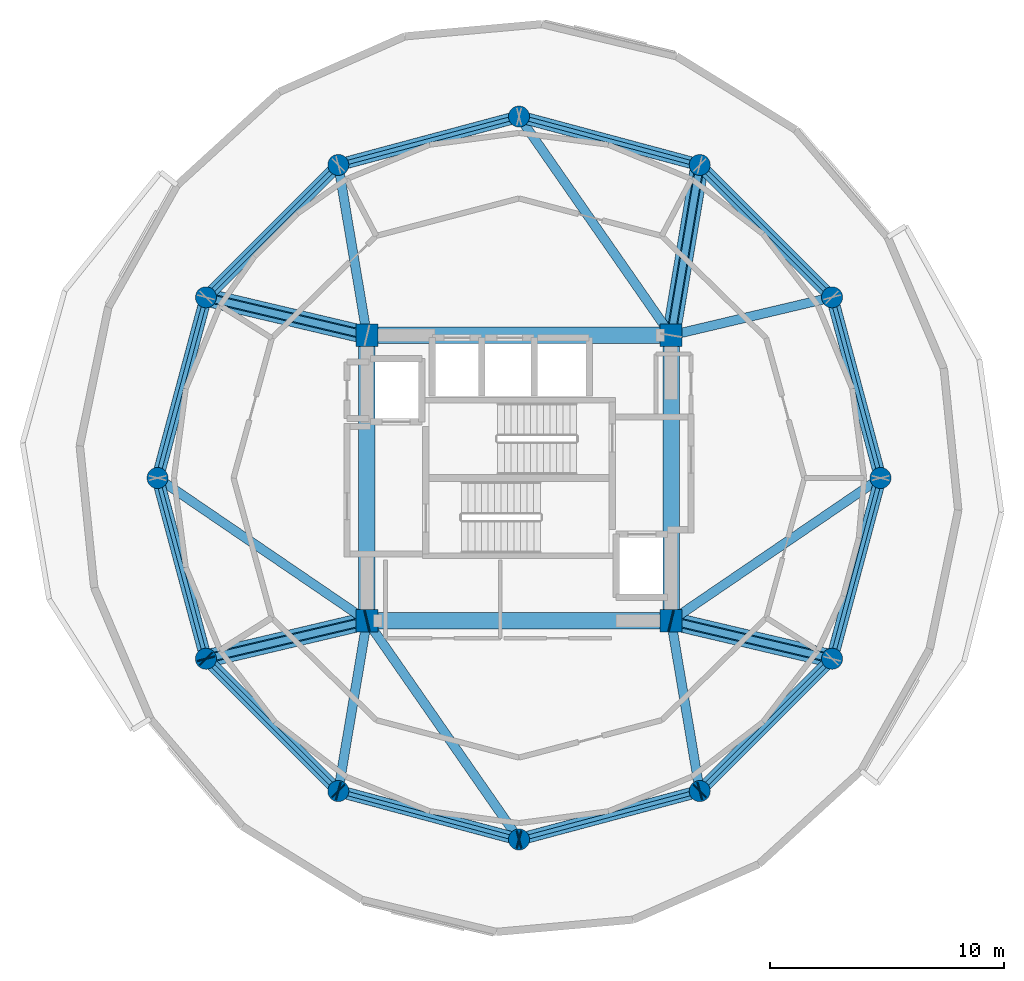
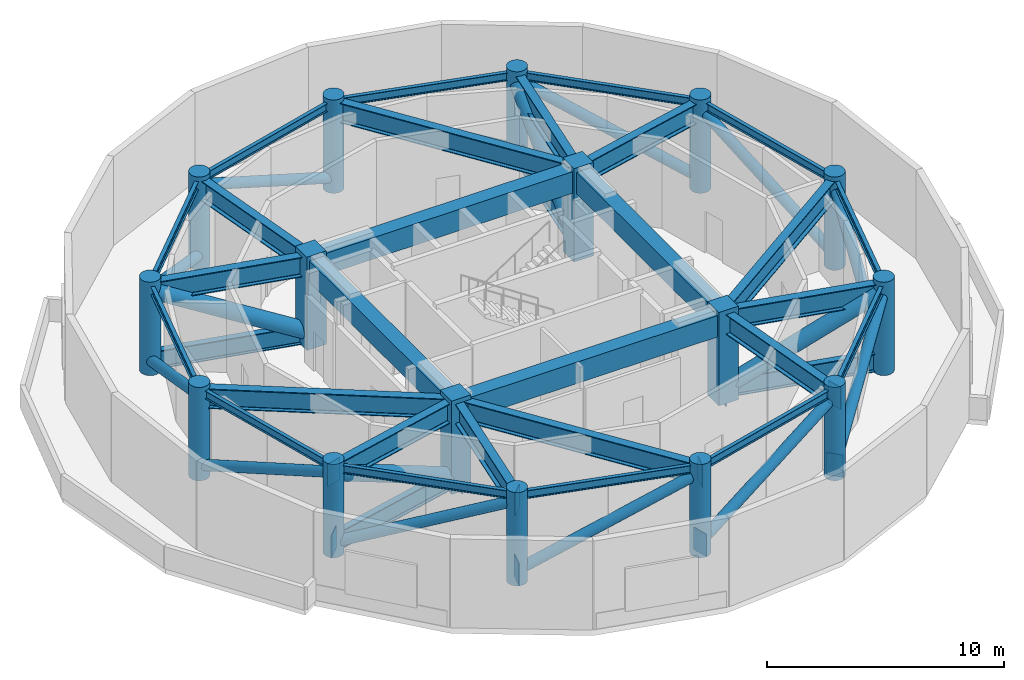
# One storey, part 1 of 7: 32 beams, 16 columns, 16 members, 10 plates.
"""IFC4 building model written with IfcOpenShell, lengths in metres."""

import ifcopenshell
import ifcopenshell.guid

model = None  # the IFC model being written
_history = None  # IfcOwnerHistory: only IFC2X3 demands one
_inside = {}  # id of a spatial element -> (the spatial element, [elements in it])
_under = {}  # id of a project, library or spatial element -> (it, [spatial elements below it])
_declared = {}  # id of a project -> (the project, [libraries it declares])
_typed = {}  # id of a type object -> (the type object, [elements of that type])
_made_of = {}  # id of a material, layer set ... -> (it, [elements and type objects made of it])


def new_model(schema):
    """Start an empty IFC model of exactly this schema.

    Asked for "IFC4X3", IfcOpenShell would pick the latest addendum, in which some entities
    have other attributes; the version numbers below select the first issue.
    IFC2X3 requires an IfcOwnerHistory on every rooted entity: one is made here for all.
    """
    global model, _history
    if schema == "IFC4X3":
        model = ifcopenshell.file(schema_version=(4, 3, 0, 0))
    else:
        model = ifcopenshell.file(schema=schema)
    _inside.clear()
    _under.clear()
    _declared.clear()
    _typed.clear()
    _made_of.clear()
    _history = None
    if model.schema == "IFC2X3":
        org = make("IfcOrganization", Name="unknown")
        user = make(
            "IfcPersonAndOrganization",
            ThePerson=make("IfcPerson", FamilyName="unknown"),
            TheOrganization=org,
        )
        app = make(
            "IfcApplication",
            ApplicationDeveloper=org,
            Version="unknown",
            ApplicationFullName="unknown",
            ApplicationIdentifier="unknown",
        )
        _history = make(
            "IfcOwnerHistory",
            OwningUser=user,
            OwningApplication=app,
            ChangeAction="ADDED",
            CreationDate=0,
        )
    return model


def make(cls, **values):
    """One entity of the class cls with the attributes given. An attribute that is None is left unset."""
    return model.create_entity(
        cls, **{name: value for name, value in values.items() if value is not None}
    )


def rooted(cls, **values):
    """An entity with a GlobalId (a new one), such as an element, a storey or a relation."""
    return make(cls, GlobalId=ifcopenshell.guid.new(), OwnerHistory=_history, **values)


def si_unit(unit_type, name, prefix=None):
    """IfcSIUnit, for example si_unit("LENGTHUNIT", "METRE", prefix="MILLI")."""
    return make("IfcSIUnit", UnitType=unit_type, Prefix=prefix, Name=name)


def assignment(units):
    """IfcUnitAssignment: the units of a project."""
    return None if units is None else make("IfcUnitAssignment", Units=units)


def point(xyz):
    """IfcCartesianPoint."""
    return None if xyz is None else make("IfcCartesianPoint", Coordinates=xyz)


def direction(xyz):
    """IfcDirection."""
    return None if xyz is None else make("IfcDirection", DirectionRatios=xyz)


def frame(location, z_axis=None, x_axis=None):
    """IfcAxis2Placement3D, a coordinate frame: its origin and axes. An axis left out is left unset."""
    return make(
        "IfcAxis2Placement3D",
        Location=point(location),
        Axis=direction(z_axis),
        RefDirection=direction(x_axis),
    )


def frame_2d(location, x_axis=None):
    """IfcAxis2Placement2D, a coordinate frame in the plane: its origin and x axis."""
    return make(
        "IfcAxis2Placement2D", Location=point(location), RefDirection=direction(x_axis)
    )


def origin():
    """The frame at (0, 0, 0) with its axes left unset."""
    return frame((0.0, 0.0, 0.0))


def origin_2d():
    """The frame at (0, 0) in the plane with its x axis left unset."""
    return frame_2d((0.0, 0.0))


def place(relative_to, where):
    """IfcLocalPlacement: puts the frame where relative to a parent placement (None: the world)."""
    return make(
        "IfcLocalPlacement", PlacementRelTo=relative_to, RelativePlacement=where
    )


def context(
    kind, dimensions, precision=None, world=None, true_north=None, identifier=None
):
    """IfcGeometricRepresentationContext, for example the 3D "Model" context."""
    return make(
        "IfcGeometricRepresentationContext",
        ContextIdentifier=identifier,
        ContextType=kind,
        CoordinateSpaceDimension=dimensions,
        Precision=precision,
        WorldCoordinateSystem=world,
        TrueNorth=true_north,
    )


def subcontext(parent, identifier, kind, view, scale=None):
    """IfcGeometricRepresentationSubContext, for example "Body" below "Model"."""
    return make(
        "IfcGeometricRepresentationSubContext",
        ContextIdentifier=identifier,
        ContextType=kind,
        ParentContext=parent,
        TargetScale=scale,
        TargetView=view,
    )


def project(units=None, contexts=None):
    """IfcProject with its units and contexts."""
    return rooted(
        "IfcProject",
        Name="project",
        RepresentationContexts=contexts,
        UnitsInContext=assignment(units),
    )


def spatial(cls, under=None, at=None, **own):
    """A site, building, storey or space (cls), placed at a placement, below another one or the project."""
    s = rooted(cls, ObjectPlacement=at, **own)
    if under is not None:
        _under.setdefault(under.id(), (under, []))[1].append(s)
    return s


def profile(cls, at=None, kind="AREA", **sizes):
    """A parametric profile (cls). Its sizes go by their IFC names, for example OverallWidth=200.0."""
    return make(cls, ProfileType=kind, Position=at, **sizes)


def rectangle(**sizes):
    """IfcRectangleProfileDef."""
    return profile("IfcRectangleProfileDef", **sizes)


def circle(**sizes):
    """IfcCircleProfileDef."""
    return profile("IfcCircleProfileDef", **sizes)


def hollow_circle(**sizes):
    """IfcCircleHollowProfileDef."""
    return profile("IfcCircleHollowProfileDef", **sizes)


def i_section(**sizes):
    """IfcIShapeProfileDef."""
    return profile("IfcIShapeProfileDef", **sizes)


def extrude(swept, where, along, depth):
    """IfcExtrudedAreaSolid: the profile swept, set in the frame where, extruded along a direction by depth."""
    return make(
        "IfcExtrudedAreaSolid",
        SweptArea=swept,
        Position=where,
        ExtrudedDirection=direction(along),
        Depth=depth,
    )


def shape(context_of_items, identifier, shape_type, items):
    """IfcShapeRepresentation: the items that make up one representation, for example the "Body"."""
    return make(
        "IfcShapeRepresentation",
        ContextOfItems=context_of_items,
        RepresentationIdentifier=identifier,
        RepresentationType=shape_type,
        Items=items,
    )


def material(Name=None, Category=None):
    """IfcMaterial."""
    return make("IfcMaterial", Name=Name, Category=Category)


def layer(
    of_material, thickness, ventilated=None, Name=None, Category=None, Priority=None
):
    """IfcMaterialLayer: one layer of a wall or slab, of a material (None: an air gap)."""
    return make(
        "IfcMaterialLayer",
        Material=of_material,
        LayerThickness=thickness,
        IsVentilated=ventilated,
        Name=Name,
        Category=Category,
        Priority=Priority,
    )


def layer_set(layers, Name=None):
    """IfcMaterialLayerSet."""
    return make("IfcMaterialLayerSet", MaterialLayers=layers, LayerSetName=Name)


def material_profile(
    of_material, cross_section, Name=None, Category=None, Priority=None
):
    """IfcMaterialProfile: a cross section and its material."""
    return make(
        "IfcMaterialProfile",
        Name=Name,
        Material=of_material,
        Profile=cross_section,
        Priority=Priority,
        Category=Category,
    )


def profile_set(profiles, Name=None, composite=None):
    """IfcMaterialProfileSet."""
    return make(
        "IfcMaterialProfileSet",
        Name=Name,
        MaterialProfiles=profiles,
        CompositeProfile=composite,
    )


def made_of(thing, what):
    """Note that an element or type object is made of a material, layer set ...; save() writes the relation."""
    if what is not None:
        _made_of.setdefault(what.id(), (what, []))[1].append(thing)
    return thing


def type_object(cls, material=None, **own):
    """A type object (cls), such as IfcWallType, which elements share."""
    return made_of(rooted(cls, **own), material)


def element(
    cls,
    number,
    at=None,
    inside=None,
    cuts=None,
    type_object=None,
    material=None,
    context=None,
    identifier="Body",
    shape_type=None,
    held_by="IfcProductDefinitionShape",
    body=None,
    shapes=None,
    **own,
):
    """One element of the class cls, such as IfcWall. Its Tag is "e" and its number.

    at: its placement. inside: the storey or other place that contains it. cuts: it is an
    opening in that element (IfcRelVoidsElement). A single representation is given by context,
    identifier, shape_type and body (its items); several are given by shapes. held_by: the class
    of the entity that holds the representations. save() writes the other relations.
    """
    e = rooted(cls, Tag="e%d" % number, ObjectPlacement=at, **own)
    if body is not None:
        shapes = [shape(context, identifier, shape_type, body)]
    if shapes is not None:
        e.Representation = make(held_by, Representations=shapes)
    if inside is not None:
        _inside.setdefault(inside.id(), (inside, []))[1].append(e)
    if cuts is not None:
        rooted(
            "IfcRelVoidsElement", RelatingBuildingElement=cuts, RelatedOpeningElement=e
        )
    if type_object is not None:
        _typed.setdefault(type_object.id(), (type_object, []))[1].append(e)
    return made_of(e, material)


def aggregate(whole, parts):
    """IfcRelAggregates: a whole, such as a stair, and the parts it consists of."""
    return rooted("IfcRelAggregates", RelatingObject=whole, RelatedObjects=parts)


def save(model, path):
    """Write the relations noted so far, then the file.

    IfcRelAggregates (storeys below a building ...), IfcRelContainedInSpatialStructure (elements
    in a storey), IfcRelDefinesByType, IfcRelAssociatesMaterial and IfcRelDeclares: one each for
    every whole, place, type object, material and project.
    """
    for whole, parts in _under.values():
        aggregate(whole, parts)
    for where, things in _inside.values():
        rooted(
            "IfcRelContainedInSpatialStructure",
            RelatedElements=things,
            RelatingStructure=where,
        )
    for kind, things in _typed.values():
        rooted("IfcRelDefinesByType", RelatedObjects=things, RelatingType=kind)
    for what, things in _made_of.values():
        rooted("IfcRelAssociatesMaterial", RelatedObjects=things, RelatingMaterial=what)
    for by, libraries in _declared.values():
        rooted("IfcRelDeclares", RelatingContext=by, RelatedDefinitions=libraries)
    model.write(path)


model = new_model("IFC4")

# Units and contexts
model_context = context("Model", 3, precision=1e-05, world=origin(), true_north=direction((0.0, 1.0)))
body_context = subcontext(model_context, "Body", "Model", "MODEL_VIEW")
ifc_project = project(units=[si_unit("LENGTHUNIT", "METRE"), si_unit("AREAUNIT", "SQUARE_METRE"), si_unit("VOLUMEUNIT", "CUBIC_METRE"), si_unit("PLANEANGLEUNIT", "RADIAN"), si_unit("MASSUNIT", "GRAM", prefix="KILO")], contexts=[model_context])

# Site, building, storey
site_placement = place(None, origin())
site = spatial("IfcSite", under=ifc_project, at=site_placement, CompositionType="ELEMENT")
building_placement = place(site_placement, origin())
building = spatial("IfcBuilding", under=site, at=building_placement, Name="Solvirekh Grand Hotel", CompositionType="ELEMENT")
storey_placement = place(building_placement, frame((0.0, 0.0, 234.39990234375)))
storey = spatial("IfcBuildingStorey", under=building, at=storey_placement, Name="L61", CompositionType="ELEMENT", Elevation=234.39990234375)

# Columns
ifc_material_1 = material(Name="Concrete C50/60", Category="concrete")
ifc_material_profile_1 = material_profile(ifc_material_1, rectangle(XDim=0.949951171875, YDim=0.949951171875, at=origin_2d()), Name="RC 950X950")
ifc_profile_set_1 = profile_set([ifc_material_profile_1], Name="Concrete C50/60")
column_type_1 = type_object("IfcColumnType", Name="Col_Core_950", PredefinedType="COLUMN", material=ifc_profile_set_1)
for number, where, z_axis, x_axis, name in (
    (1, (-6.5, -6.10009765625, 0.0), (0.0, 0.0, 1.0), (1.0, 0.0, 0.0), "L61 core corner column CC1"),
    (2, (6.5, -6.10009765625, 0.0), (0.0, 0.0, 1.0), (1.0, 0.0, 0.0), "L61 core corner column CC2"),
    (3, (6.5, 6.10009765625, 0.0), (0.0, 0.0, 1.0), (1.0, 0.0, 0.0), "L61 core corner column CC3"),
    (4, (-6.5, 6.10009765625, 0.0), (0.0, 0.0, 1.0), (1.0, 0.0, 0.0), "L61 core corner column CC4"),
):
    element("IfcColumn", number, at=place(storey_placement, frame(where, z_axis=z_axis, x_axis=x_axis)), inside=storey, type_object=column_type_1, Name=name, PredefinedType="COLUMN", context=body_context, shape_type="SweptSolid", body=[
        extrude(rectangle(XDim=0.949951171875, YDim=0.949951171875, at=origin_2d()), origin(), (0.0, 0.0, 1.0), 4.800048828125),
    ])
ifc_material_profile_2 = material_profile(ifc_material_1, circle(Radius=0.449951171875, at=origin_2d()), Name="RC CIRC D900")
ifc_profile_set_2 = profile_set([ifc_material_profile_2], Name="Concrete C50/60")
column_type_2 = type_object("IfcColumnType", Name="Col_Z3_D900", PredefinedType="COLUMN", material=ifc_profile_set_2)
for number, where, z_axis, x_axis, name in (
    (5, (15.449951171875, 0.0, 0.0), (0.0, 0.0, 1.0), (1.0, 0.0, 0.0), "L61 perimeter column P01"),
    (6, (13.3798828125, 7.72509765625, 0.0), (0.0, 0.0, 1.0), (1.0, 0.0, 0.0), "L61 perimeter column P02"),
    (7, (7.72509765625, 13.3798828125, 0.0), (0.0, 0.0, 1.0), (1.0, 0.0, 0.0), "L61 perimeter column P03"),
    (8, (0.0, 15.449951171875, 0.0), (0.0, 0.0, 1.0), (1.0, 0.0, 0.0), "L61 perimeter column P04"),
    (9, (-7.72509765625, 13.3798828125, 0.0), (0.0, 0.0, 1.0), (1.0, 0.0, 0.0), "L61 perimeter column P05"),
    (10, (-13.3798828125, 7.72509765625, 0.0), (0.0, 0.0, 1.0), (1.0, 0.0, 0.0), "L61 perimeter column P06"),
    (11, (-15.449951171875, 0.0, 0.0), (0.0, 0.0, 1.0), (1.0, 0.0, 0.0), "L61 perimeter column P07"),
    (12, (-13.3798828125, -7.72509765625, 0.0), (0.0, 0.0, 1.0), (1.0, 0.0, 0.0), "L61 perimeter column P08"),
    (13, (-7.72509765625, -13.3798828125, 0.0), (0.0, 0.0, 1.0), (1.0, 0.0, 0.0), "L61 perimeter column P09"),
    (14, (0.0, -15.449951171875, 0.0), (0.0, 0.0, 1.0), (1.0, 0.0, 0.0), "L61 perimeter column P10"),
    (15, (7.72509765625, -13.3798828125, 0.0), (0.0, 0.0, 1.0), (1.0, 0.0, 0.0), "L61 perimeter column P11"),
    (16, (13.3798828125, -7.72509765625, 0.0), (0.0, 0.0, 1.0), (1.0, 0.0, 0.0), "L61 perimeter column P12"),
):
    element("IfcColumn", number, at=place(storey_placement, frame(where, z_axis=z_axis, x_axis=x_axis)), inside=storey, type_object=column_type_2, Name=name, PredefinedType="COLUMN", context=body_context, shape_type="SweptSolid", body=[
        extrude(circle(Radius=0.449951171875, at=origin_2d()), origin(), (0.0, 0.0, 1.0), 4.800048828125),
    ])

# Beams
ifc_material_2 = material(Name="Concrete C60/75", Category="concrete")
ifc_material_profile_3 = material_profile(ifc_material_2, rectangle(XDim=0.699951171875, YDim=1.10009765625, at=origin_2d()), Name="RC BEAM 700X1100")
ifc_profile_set_3 = profile_set([ifc_material_profile_3], Name="Concrete C60/75")
beam_type_1 = type_object("IfcBeamType", Name="Beam_Core_RC1100", PredefinedType="BEAM", material=ifc_profile_set_3)
beam_1_placement = place(storey_placement, frame((-6.5, -6.10009765625, 4.02001953125), z_axis=(1.0, 0.0, 0.0), x_axis=(0.0, 1.0, 0.0)))
element("IfcBeam", 17, at=beam_1_placement, inside=storey, type_object=beam_type_1, Name="L61 core coupling ring beam 1", PredefinedType="BEAM", context=body_context, shape_type="SweptSolid", body=[
    extrude(rectangle(XDim=0.699951171875, YDim=1.10009765625, at=origin_2d()), origin(), (0.0, 0.0, 1.0), 13.0),
])
beam_2_placement = place(storey_placement, frame((6.5, -6.10009765625, 4.02001953125), z_axis=(0.0, 1.0, 0.0), x_axis=(-1.0, 0.0, 0.0)))
element("IfcBeam", 18, at=beam_2_placement, inside=storey, type_object=beam_type_1, Name="L61 core coupling ring beam 2", PredefinedType="BEAM", context=body_context, shape_type="SweptSolid", body=[
    extrude(rectangle(XDim=0.699951171875, YDim=1.10009765625, at=origin_2d()), origin(), (0.0, 0.0, 1.0), 12.2001953125),
])
beam_3_placement = place(storey_placement, frame((6.5, 6.10009765625, 4.02001953125), z_axis=(-1.0, 0.0, 0.0), x_axis=(0.0, -1.0, 0.0)))
element("IfcBeam", 19, at=beam_3_placement, inside=storey, type_object=beam_type_1, Name="L61 core coupling ring beam 3", PredefinedType="BEAM", context=body_context, shape_type="SweptSolid", body=[
    extrude(rectangle(XDim=0.699951171875, YDim=1.10009765625, at=origin_2d()), origin(), (0.0, 0.0, 1.0), 13.0),
])
beam_4_placement = place(storey_placement, frame((-6.5, 6.10009765625, 4.02001953125), z_axis=(0.0, -1.0, 0.0), x_axis=(1.0, 0.0, 0.0)))
element("IfcBeam", 20, at=beam_4_placement, inside=storey, type_object=beam_type_1, Name="L61 core coupling ring beam 4", PredefinedType="BEAM", context=body_context, shape_type="SweptSolid", body=[
    extrude(rectangle(XDim=0.699951171875, YDim=1.10009765625, at=origin_2d()), origin(), (0.0, 0.0, 1.0), 12.2001953125),
])
ifc_material_3 = material(Name="Steel S460", Category="steel")
ifc_material_profile_4 = material_profile(ifc_material_3, i_section(OverallWidth=0.31005859375, OverallDepth=0.927978515625, WebThickness=0.02099609375, FlangeThickness=0.035888671875, FilletRadius=0.02001953125, at=origin_2d()), Name="W920X342")
ifc_profile_set_4 = profile_set([ifc_material_profile_4], Name="Steel S460")
beam_type_2 = type_object("IfcBeamType", Name="Beam_Outrigger_W920", PredefinedType="BEAM", material=ifc_profile_set_4)
beam_5_placement = place(storey_placement, frame((6.5, 6.10009765625, 0.51416015625), z_axis=(0.165954049106, 0.986133486697, 0.0), x_axis=(-0.986133486697, 0.165954049106, 0.0)))
element("IfcBeam", 21, at=beam_5_placement, inside=storey, type_object=beam_type_2, Name="L61 lower outrigger chord 3", PredefinedType="BEAM", context=body_context, shape_type="SweptSolid", body=[
    extrude(i_section(OverallWidth=0.31005859375, OverallDepth=0.927978515625, WebThickness=0.02099609375, FlangeThickness=0.035888671875, FilletRadius=0.02001953125, at=origin_2d()), origin(), (0.0, 0.0, 1.0), 7.382080078125),
])
for number, where, z_axis, x_axis, name in (
    (22, (-6.5, 6.10009765625, 0.51416015625), (-0.973221147544, 0.229870828888, 0.0), (-0.229870828888, -0.973221147544, 0.0), "L61 lower outrigger chord 6"),
    (23, (-6.5, -6.10009765625, 0.51416015625), (-0.973221147544, -0.229870828888, 0.0), (0.229870828888, -0.973221147544, 0.0), "L61 lower outrigger chord 8"),
    (24, (6.5, -6.10009765625, 0.51416015625), (0.973221147544, -0.229870828888, 0.0), (0.229870828888, 0.973221147544, 0.0), "L61 lower outrigger chord 12"),
):
    element("IfcBeam", number, at=place(storey_placement, frame(where, z_axis=z_axis, x_axis=x_axis)), inside=storey, type_object=beam_type_2, Name=name, PredefinedType="BEAM", context=body_context, shape_type="SweptSolid", body=[
        extrude(i_section(OverallWidth=0.31005859375, OverallDepth=0.927978515625, WebThickness=0.02099609375, FlangeThickness=0.035888671875, FilletRadius=0.02001953125, at=origin_2d()), origin(), (0.0, 0.0, 1.0), 7.069091796875),
    ])

# Members
ifc_material_4 = material(Name="Steel S355", Category="steel")
ifc_material_profile_5 = material_profile(ifc_material_4, hollow_circle(Radius=0.25390625, WallThickness=0.02001953125, at=origin_2d()), Name="CHS 508X20")
ifc_profile_set_5 = profile_set([ifc_material_profile_5], Name="Steel S355")
member_type_1 = type_object("IfcMemberType", Name="Brace_Belt_CHS508", PredefinedType="BRACE", material=ifc_profile_set_5)
member_1_placement = place(storey_placement, frame((15.449951171875, 0.0, 0.51416015625), z_axis=(-0.236113140836, 0.881128906984, 0.409710182936), x_axis=(-0.965921616143, -0.258834757072, 0.0)))
element("IfcMember", 25, at=member_1_placement, inside=storey, type_object=member_type_1, Name="L61 perimeter belt-truss brace 1", PredefinedType="BRACE", context=body_context, shape_type="SweptSolid", body=[
    extrude(hollow_circle(Radius=0.25390625, WallThickness=0.02001953125, at=origin_2d()), origin(), (0.0, 0.0, 1.0), 8.767333984375),
])
member_2_placement = place(storey_placement, frame((13.3798828125, 7.72509765625, 0.51416015625), z_axis=(-0.645026213686, 0.645026213686, 0.409734508331), x_axis=(-0.707106781187, -0.707106781187, 0.0)))
element("IfcMember", 26, at=member_2_placement, inside=storey, type_object=member_type_1, Name="L61 perimeter belt-truss brace 2", PredefinedType="BRACE", context=body_context, shape_type="SweptSolid", body=[
    extrude(hollow_circle(Radius=0.25390625, WallThickness=0.02001953125, at=origin_2d()), origin(), (0.0, 0.0, 1.0), 8.766845703125),
])
for number, where, z_axis, x_axis, name in (
    (27, (7.72509765625, 13.3798828125, 0.51416015625), (-0.881128906984, 0.236113140836, 0.409710182936), (-0.258834757072, -0.965921616143, 0.0), "L61 perimeter belt-truss brace 3"),
    (28, (0.0, 15.449951171875, 0.51416015625), (-0.881128906984, -0.236113140836, 0.409710182936), (0.258834757072, -0.965921616143, 0.0), "L61 perimeter belt-truss brace 4"),
):
    element("IfcMember", number, at=place(storey_placement, frame(where, z_axis=z_axis, x_axis=x_axis)), inside=storey, type_object=member_type_1, Name=name, PredefinedType="BRACE", context=body_context, shape_type="SweptSolid", body=[
        extrude(hollow_circle(Radius=0.25390625, WallThickness=0.02001953125, at=origin_2d()), origin(), (0.0, 0.0, 1.0), 8.767333984375),
    ])
member_3_placement = place(storey_placement, frame((-7.72509765625, 13.3798828125, 0.51416015625), z_axis=(-0.645026213686, -0.645026213686, 0.409734508331), x_axis=(0.707106781187, -0.707106781187, 0.0)))
element("IfcMember", 29, at=member_3_placement, inside=storey, type_object=member_type_1, Name="L61 perimeter belt-truss brace 5", PredefinedType="BRACE", context=body_context, shape_type="SweptSolid", body=[
    extrude(hollow_circle(Radius=0.25390625, WallThickness=0.02001953125, at=origin_2d()), origin(), (0.0, 0.0, 1.0), 8.766845703125),
])
for number, where, z_axis, x_axis, name in (
    (30, (-13.3798828125, 7.72509765625, 0.51416015625), (-0.236113140836, -0.881128906984, 0.409710182936), (0.965921616143, -0.258834757072, 0.0), "L61 perimeter belt-truss brace 6"),
    (31, (-15.449951171875, 0.0, 0.51416015625), (0.236113140836, -0.881128906984, 0.409710182936), (0.965921616143, 0.258834757072, 0.0), "L61 perimeter belt-truss brace 7"),
):
    element("IfcMember", number, at=place(storey_placement, frame(where, z_axis=z_axis, x_axis=x_axis)), inside=storey, type_object=member_type_1, Name=name, PredefinedType="BRACE", context=body_context, shape_type="SweptSolid", body=[
        extrude(hollow_circle(Radius=0.25390625, WallThickness=0.02001953125, at=origin_2d()), origin(), (0.0, 0.0, 1.0), 8.767333984375),
    ])
member_4_placement = place(storey_placement, frame((-13.3798828125, -7.72509765625, 0.51416015625), z_axis=(0.645026213686, -0.645026213686, 0.409734508331), x_axis=(0.707106781187, 0.707106781187, 0.0)))
element("IfcMember", 32, at=member_4_placement, inside=storey, type_object=member_type_1, Name="L61 perimeter belt-truss brace 8", PredefinedType="BRACE", context=body_context, shape_type="SweptSolid", body=[
    extrude(hollow_circle(Radius=0.25390625, WallThickness=0.02001953125, at=origin_2d()), origin(), (0.0, 0.0, 1.0), 8.766845703125),
])
for number, where, z_axis, x_axis, name in (
    (33, (-7.72509765625, -13.3798828125, 0.51416015625), (0.881128906984, -0.236113140836, 0.409710182936), (0.258834757072, 0.965921616143, 0.0), "L61 perimeter belt-truss brace 9"),
    (34, (0.0, -15.449951171875, 0.51416015625), (0.881128906984, 0.236113140836, 0.409710182936), (-0.258834757072, 0.965921616143, 0.0), "L61 perimeter belt-truss brace 10"),
):
    element("IfcMember", number, at=place(storey_placement, frame(where, z_axis=z_axis, x_axis=x_axis)), inside=storey, type_object=member_type_1, Name=name, PredefinedType="BRACE", context=body_context, shape_type="SweptSolid", body=[
        extrude(hollow_circle(Radius=0.25390625, WallThickness=0.02001953125, at=origin_2d()), origin(), (0.0, 0.0, 1.0), 8.767333984375),
    ])
member_5_placement = place(storey_placement, frame((7.72509765625, -13.3798828125, 0.51416015625), z_axis=(0.645026213686, 0.645026213686, 0.409734508331), x_axis=(-0.707106781187, 0.707106781187, 0.0)))
element("IfcMember", 35, at=member_5_placement, inside=storey, type_object=member_type_1, Name="L61 perimeter belt-truss brace 11", PredefinedType="BRACE", context=body_context, shape_type="SweptSolid", body=[
    extrude(hollow_circle(Radius=0.25390625, WallThickness=0.02001953125, at=origin_2d()), origin(), (0.0, 0.0, 1.0), 8.766845703125),
])
member_6_placement = place(storey_placement, frame((13.3798828125, -7.72509765625, 0.51416015625), z_axis=(0.236113140836, 0.881128906984, 0.409710182936), x_axis=(-0.965921616143, 0.258834757072, 0.0)))
element("IfcMember", 36, at=member_6_placement, inside=storey, type_object=member_type_1, Name="L61 perimeter belt-truss brace 12", PredefinedType="BRACE", context=body_context, shape_type="SweptSolid", body=[
    extrude(hollow_circle(Radius=0.25390625, WallThickness=0.02001953125, at=origin_2d()), origin(), (0.0, 0.0, 1.0), 8.767333984375),
])
ifc_material_profile_6 = material_profile(ifc_material_3, hollow_circle(Radius=0.381103515625, WallThickness=0.028076171875, at=origin_2d()), Name="CHS 762X28")
ifc_profile_set_6 = profile_set([ifc_material_profile_6], Name="Steel S460")
member_type_2 = type_object("IfcMemberType", Name="Brace_Outrigger_CHS762", PredefinedType="BRACE", material=ifc_profile_set_6)
member_7_placement = place(storey_placement, frame((6.5, 6.10009765625, 0.51416015625), z_axis=(0.149225939331, 0.886731578114, 0.43753711546), x_axis=(-0.986133486697, 0.165954049106, 0.0)))
element("IfcMember", 37, at=member_7_placement, inside=storey, type_object=member_type_2, Name="L61 outrigger truss diagonal 3", PredefinedType="BRACE", context=body_context, shape_type="SweptSolid", body=[
    extrude(hollow_circle(Radius=0.381103515625, WallThickness=0.028076171875, at=origin_2d()), origin(), (0.0, 0.0, 1.0), 8.209716796875),
])
for number, where, z_axis, x_axis, name in (
    (38, (-6.5, 6.10009765625, 0.51416015625), (-0.867636866103, 0.204932256238, 0.453000042973), (-0.229870828888, -0.973221147544, 0.0), "L61 outrigger truss diagonal 6"),
    (39, (-6.5, -6.10009765625, 0.51416015625), (-0.867636866103, -0.204932256238, 0.453000042973), (0.229870828888, -0.973221147544, 0.0), "L61 outrigger truss diagonal 8"),
    (40, (6.5, -6.10009765625, 0.51416015625), (0.867636866103, -0.204932256238, 0.453000042973), (0.229870828888, 0.973221147544, 0.0), "L61 outrigger truss diagonal 12"),
):
    element("IfcMember", number, at=place(storey_placement, frame(where, z_axis=z_axis, x_axis=x_axis)), inside=storey, type_object=member_type_2, Name=name, PredefinedType="BRACE", context=body_context, shape_type="SweptSolid", body=[
        extrude(hollow_circle(Radius=0.381103515625, WallThickness=0.028076171875, at=origin_2d()), origin(), (0.0, 0.0, 1.0), 7.929443359375),
    ])

# Beams
ifc_material_profile_7 = material_profile(ifc_material_4, i_section(OverallWidth=0.180908203125, OverallDepth=0.4169921875, WebThickness=0.010009765625, FlangeThickness=0.01611328125, FilletRadius=0.011962890625, at=origin_2d()), Name="W410X85")
ifc_profile_set_7 = profile_set([ifc_material_profile_7], Name="Steel S355")
beam_type_3 = type_object("IfcBeamType", Name="Spandrel_Ring_W410", PredefinedType="SPANDREL", material=ifc_profile_set_7)
beam_6_placement = place(storey_placement, frame((15.449951171875, 0.0, 4.362060546875), z_axis=(-0.258834757072, 0.965921616143, 0.0), x_axis=(-0.965921616143, -0.258834757072, 0.0)))
element("IfcBeam", 41, at=beam_6_placement, inside=storey, type_object=beam_type_3, Name="L61 perimeter spandrel beam 1", PredefinedType="SPANDREL", context=body_context, shape_type="SweptSolid", body=[
    extrude(i_section(OverallWidth=0.180908203125, OverallDepth=0.4169921875, WebThickness=0.010009765625, FlangeThickness=0.01611328125, FilletRadius=0.011962890625, at=origin_2d()), origin(), (0.0, 0.0, 1.0), 7.99755859375),
])
beam_7_placement = place(storey_placement, frame((13.3798828125, 7.72509765625, 4.362060546875), z_axis=(-0.707106781187, 0.707106781187, 0.0), x_axis=(-0.707106781187, -0.707106781187, 0.0)))
element("IfcBeam", 42, at=beam_7_placement, inside=storey, type_object=beam_type_3, Name="L61 perimeter spandrel beam 2", PredefinedType="SPANDREL", context=body_context, shape_type="SweptSolid", body=[
    extrude(i_section(OverallWidth=0.180908203125, OverallDepth=0.4169921875, WebThickness=0.010009765625, FlangeThickness=0.01611328125, FilletRadius=0.011962890625, at=origin_2d()), origin(), (0.0, 0.0, 1.0), 7.9970703125),
])
for number, where, z_axis, x_axis, name in (
    (43, (7.72509765625, 13.3798828125, 4.362060546875), (-0.965921616143, 0.258834757072, 0.0), (-0.258834757072, -0.965921616143, 0.0), "L61 perimeter spandrel beam 3"),
    (44, (0.0, 15.449951171875, 4.362060546875), (-0.965921616143, -0.258834757072, 0.0), (0.258834757072, -0.965921616143, 0.0), "L61 perimeter spandrel beam 4"),
):
    element("IfcBeam", number, at=place(storey_placement, frame(where, z_axis=z_axis, x_axis=x_axis)), inside=storey, type_object=beam_type_3, Name=name, PredefinedType="SPANDREL", context=body_context, shape_type="SweptSolid", body=[
        extrude(i_section(OverallWidth=0.180908203125, OverallDepth=0.4169921875, WebThickness=0.010009765625, FlangeThickness=0.01611328125, FilletRadius=0.011962890625, at=origin_2d()), origin(), (0.0, 0.0, 1.0), 7.99755859375),
    ])
beam_8_placement = place(storey_placement, frame((-7.72509765625, 13.3798828125, 4.362060546875), z_axis=(-0.707106781187, -0.707106781187, 0.0), x_axis=(0.707106781187, -0.707106781187, 0.0)))
element("IfcBeam", 45, at=beam_8_placement, inside=storey, type_object=beam_type_3, Name="L61 perimeter spandrel beam 5", PredefinedType="SPANDREL", context=body_context, shape_type="SweptSolid", body=[
    extrude(i_section(OverallWidth=0.180908203125, OverallDepth=0.4169921875, WebThickness=0.010009765625, FlangeThickness=0.01611328125, FilletRadius=0.011962890625, at=origin_2d()), origin(), (0.0, 0.0, 1.0), 7.9970703125),
])
for number, where, z_axis, x_axis, name in (
    (46, (-13.3798828125, 7.72509765625, 4.362060546875), (-0.258834757072, -0.965921616143, 0.0), (0.965921616143, -0.258834757072, 0.0), "L61 perimeter spandrel beam 6"),
    (47, (-15.449951171875, 0.0, 4.362060546875), (0.258834757072, -0.965921616143, 0.0), (0.965921616143, 0.258834757072, 0.0), "L61 perimeter spandrel beam 7"),
):
    element("IfcBeam", number, at=place(storey_placement, frame(where, z_axis=z_axis, x_axis=x_axis)), inside=storey, type_object=beam_type_3, Name=name, PredefinedType="SPANDREL", context=body_context, shape_type="SweptSolid", body=[
        extrude(i_section(OverallWidth=0.180908203125, OverallDepth=0.4169921875, WebThickness=0.010009765625, FlangeThickness=0.01611328125, FilletRadius=0.011962890625, at=origin_2d()), origin(), (0.0, 0.0, 1.0), 7.99755859375),
    ])
beam_9_placement = place(storey_placement, frame((-13.3798828125, -7.72509765625, 4.362060546875), z_axis=(0.707106781187, -0.707106781187, 0.0), x_axis=(0.707106781187, 0.707106781187, 0.0)))
element("IfcBeam", 48, at=beam_9_placement, inside=storey, type_object=beam_type_3, Name="L61 perimeter spandrel beam 8", PredefinedType="SPANDREL", context=body_context, shape_type="SweptSolid", body=[
    extrude(i_section(OverallWidth=0.180908203125, OverallDepth=0.4169921875, WebThickness=0.010009765625, FlangeThickness=0.01611328125, FilletRadius=0.011962890625, at=origin_2d()), origin(), (0.0, 0.0, 1.0), 7.9970703125),
])
for number, where, z_axis, x_axis, name in (
    (49, (-7.72509765625, -13.3798828125, 4.362060546875), (0.965921616143, -0.258834757072, 0.0), (0.258834757072, 0.965921616143, 0.0), "L61 perimeter spandrel beam 9"),
    (50, (0.0, -15.449951171875, 4.362060546875), (0.965921616143, 0.258834757072, 0.0), (-0.258834757072, 0.965921616143, 0.0), "L61 perimeter spandrel beam 10"),
):
    element("IfcBeam", number, at=place(storey_placement, frame(where, z_axis=z_axis, x_axis=x_axis)), inside=storey, type_object=beam_type_3, Name=name, PredefinedType="SPANDREL", context=body_context, shape_type="SweptSolid", body=[
        extrude(i_section(OverallWidth=0.180908203125, OverallDepth=0.4169921875, WebThickness=0.010009765625, FlangeThickness=0.01611328125, FilletRadius=0.011962890625, at=origin_2d()), origin(), (0.0, 0.0, 1.0), 7.99755859375),
    ])
beam_10_placement = place(storey_placement, frame((7.72509765625, -13.3798828125, 4.362060546875), z_axis=(0.707106781187, 0.707106781187, 0.0), x_axis=(-0.707106781187, 0.707106781187, 0.0)))
element("IfcBeam", 51, at=beam_10_placement, inside=storey, type_object=beam_type_3, Name="L61 perimeter spandrel beam 11", PredefinedType="SPANDREL", context=body_context, shape_type="SweptSolid", body=[
    extrude(i_section(OverallWidth=0.180908203125, OverallDepth=0.4169921875, WebThickness=0.010009765625, FlangeThickness=0.01611328125, FilletRadius=0.011962890625, at=origin_2d()), origin(), (0.0, 0.0, 1.0), 7.9970703125),
])
beam_11_placement = place(storey_placement, frame((13.3798828125, -7.72509765625, 4.362060546875), z_axis=(0.258834757072, 0.965921616143, 0.0), x_axis=(-0.965921616143, 0.258834757072, 0.0)))
element("IfcBeam", 52, at=beam_11_placement, inside=storey, type_object=beam_type_3, Name="L61 perimeter spandrel beam 12", PredefinedType="SPANDREL", context=body_context, shape_type="SweptSolid", body=[
    extrude(i_section(OverallWidth=0.180908203125, OverallDepth=0.4169921875, WebThickness=0.010009765625, FlangeThickness=0.01611328125, FilletRadius=0.011962890625, at=origin_2d()), origin(), (0.0, 0.0, 1.0), 7.99755859375),
])
ifc_material_profile_8 = material_profile(ifc_material_3, i_section(OverallWidth=0.39990234375, OverallDepth=1.02099609375, WebThickness=0.02294921875, FlangeThickness=0.0419921875, FilletRadius=0.02197265625, at=origin_2d()), Name="W1000X412")
ifc_profile_set_8 = profile_set([ifc_material_profile_8], Name="Steel S460")
beam_type_4 = type_object("IfcBeamType", Name="TransferGirder_W1000", PredefinedType="USERDEFINED", material=ifc_profile_set_8)
beam_12_placement = place(storey_placement, frame((6.5, -6.10009765625, 4.05908203125), z_axis=(0.826319370306, 0.563201827285, 0.0), x_axis=(-0.563201827285, 0.826319370306, 0.0)))
element("IfcBeam", 53, at=beam_12_placement, inside=storey, type_object=beam_type_4, Name="L61 radial transfer girder 1", ObjectType="TRANSFER GIRDER", PredefinedType="USERDEFINED", context=body_context, shape_type="SweptSolid", body=[
    extrude(i_section(OverallWidth=0.39990234375, OverallDepth=1.02099609375, WebThickness=0.02294921875, FlangeThickness=0.0419921875, FilletRadius=0.02197265625, at=origin_2d()), origin(), (0.0, 0.0, 1.0), 10.8310546875),
])
beam_13_placement = place(storey_placement, frame((6.5, 6.10009765625, 4.05908203125), z_axis=(0.973221147544, 0.229870828888, 0.0), x_axis=(-0.229870828888, 0.973221147544, 0.0)))
element("IfcBeam", 54, at=beam_13_placement, inside=storey, type_object=beam_type_4, Name="L61 radial transfer girder 2", ObjectType="TRANSFER GIRDER", PredefinedType="USERDEFINED", context=body_context, shape_type="SweptSolid", body=[
    extrude(i_section(OverallWidth=0.39990234375, OverallDepth=1.02099609375, WebThickness=0.02294921875, FlangeThickness=0.0419921875, FilletRadius=0.02197265625, at=origin_2d()), origin(), (0.0, 0.0, 1.0), 7.069091796875),
])
beam_14_placement = place(storey_placement, frame((6.5, 6.10009765625, 4.05908203125), z_axis=(0.165954049106, 0.986133486697, 0.0), x_axis=(-0.986133486697, 0.165954049106, 0.0)))
element("IfcBeam", 55, at=beam_14_placement, inside=storey, type_object=beam_type_4, Name="L61 radial transfer girder 3", ObjectType="TRANSFER GIRDER", PredefinedType="USERDEFINED", context=body_context, shape_type="SweptSolid", body=[
    extrude(i_section(OverallWidth=0.39990234375, OverallDepth=1.02099609375, WebThickness=0.02294921875, FlangeThickness=0.0419921875, FilletRadius=0.02197265625, at=origin_2d()), origin(), (0.0, 0.0, 1.0), 7.382080078125),
])
beam_15_placement = place(storey_placement, frame((6.5, 6.10009765625, 4.05908203125), z_axis=(-0.570813192472, 0.821079959139, 0.0), x_axis=(-0.821079959139, -0.570813192472, 0.0)))
element("IfcBeam", 56, at=beam_15_placement, inside=storey, type_object=beam_type_4, Name="L61 radial transfer girder 4", ObjectType="TRANSFER GIRDER", PredefinedType="USERDEFINED", context=body_context, shape_type="SweptSolid", body=[
    extrude(i_section(OverallWidth=0.39990234375, OverallDepth=1.02099609375, WebThickness=0.02294921875, FlangeThickness=0.0419921875, FilletRadius=0.02197265625, at=origin_2d()), origin(), (0.0, 0.0, 1.0), 11.38720703125),
])
beam_16_placement = place(storey_placement, frame((-6.5, 6.10009765625, 4.05908203125), z_axis=(-0.165954049106, 0.986133486697, 0.0), x_axis=(-0.986133486697, -0.165954049106, 0.0)))
element("IfcBeam", 57, at=beam_16_placement, inside=storey, type_object=beam_type_4, Name="L61 radial transfer girder 5", ObjectType="TRANSFER GIRDER", PredefinedType="USERDEFINED", context=body_context, shape_type="SweptSolid", body=[
    extrude(i_section(OverallWidth=0.39990234375, OverallDepth=1.02099609375, WebThickness=0.02294921875, FlangeThickness=0.0419921875, FilletRadius=0.02197265625, at=origin_2d()), origin(), (0.0, 0.0, 1.0), 7.382080078125),
])
beam_17_placement = place(storey_placement, frame((-6.5, 6.10009765625, 4.05908203125), z_axis=(-0.973221147544, 0.229870828888, 0.0), x_axis=(-0.229870828888, -0.973221147544, 0.0)))
element("IfcBeam", 58, at=beam_17_placement, inside=storey, type_object=beam_type_4, Name="L61 radial transfer girder 6", ObjectType="TRANSFER GIRDER", PredefinedType="USERDEFINED", context=body_context, shape_type="SweptSolid", body=[
    extrude(i_section(OverallWidth=0.39990234375, OverallDepth=1.02099609375, WebThickness=0.02294921875, FlangeThickness=0.0419921875, FilletRadius=0.02197265625, at=origin_2d()), origin(), (0.0, 0.0, 1.0), 7.069091796875),
])
beam_18_placement = place(storey_placement, frame((-6.5, -6.10009765625, 4.05908203125), z_axis=(-0.826319370306, 0.563201827285, 0.0), x_axis=(-0.563201827285, -0.826319370306, 0.0)))
element("IfcBeam", 59, at=beam_18_placement, inside=storey, type_object=beam_type_4, Name="L61 radial transfer girder 7", ObjectType="TRANSFER GIRDER", PredefinedType="USERDEFINED", context=body_context, shape_type="SweptSolid", body=[
    extrude(i_section(OverallWidth=0.39990234375, OverallDepth=1.02099609375, WebThickness=0.02294921875, FlangeThickness=0.0419921875, FilletRadius=0.02197265625, at=origin_2d()), origin(), (0.0, 0.0, 1.0), 10.8310546875),
])
beam_19_placement = place(storey_placement, frame((-6.5, -6.10009765625, 4.05908203125), z_axis=(-0.973221147544, -0.229870828888, 0.0), x_axis=(0.229870828888, -0.973221147544, 0.0)))
element("IfcBeam", 60, at=beam_19_placement, inside=storey, type_object=beam_type_4, Name="L61 radial transfer girder 8", ObjectType="TRANSFER GIRDER", PredefinedType="USERDEFINED", context=body_context, shape_type="SweptSolid", body=[
    extrude(i_section(OverallWidth=0.39990234375, OverallDepth=1.02099609375, WebThickness=0.02294921875, FlangeThickness=0.0419921875, FilletRadius=0.02197265625, at=origin_2d()), origin(), (0.0, 0.0, 1.0), 7.069091796875),
])
beam_20_placement = place(storey_placement, frame((-6.5, -6.10009765625, 4.05908203125), z_axis=(-0.165954049106, -0.986133486697, 0.0), x_axis=(0.986133486697, -0.165954049106, 0.0)))
element("IfcBeam", 61, at=beam_20_placement, inside=storey, type_object=beam_type_4, Name="L61 radial transfer girder 9", ObjectType="TRANSFER GIRDER", PredefinedType="USERDEFINED", context=body_context, shape_type="SweptSolid", body=[
    extrude(i_section(OverallWidth=0.39990234375, OverallDepth=1.02099609375, WebThickness=0.02294921875, FlangeThickness=0.0419921875, FilletRadius=0.02197265625, at=origin_2d()), origin(), (0.0, 0.0, 1.0), 7.382080078125),
])
beam_21_placement = place(storey_placement, frame((-6.5, -6.10009765625, 4.05908203125), z_axis=(0.570813192472, -0.821079959139, 0.0), x_axis=(0.821079959139, 0.570813192472, 0.0)))
element("IfcBeam", 62, at=beam_21_placement, inside=storey, type_object=beam_type_4, Name="L61 radial transfer girder 10", ObjectType="TRANSFER GIRDER", PredefinedType="USERDEFINED", context=body_context, shape_type="SweptSolid", body=[
    extrude(i_section(OverallWidth=0.39990234375, OverallDepth=1.02099609375, WebThickness=0.02294921875, FlangeThickness=0.0419921875, FilletRadius=0.02197265625, at=origin_2d()), origin(), (0.0, 0.0, 1.0), 11.38720703125),
])
beam_22_placement = place(storey_placement, frame((6.5, -6.10009765625, 4.05908203125), z_axis=(0.165954049106, -0.986133486697, 0.0), x_axis=(0.986133486697, 0.165954049106, 0.0)))
element("IfcBeam", 63, at=beam_22_placement, inside=storey, type_object=beam_type_4, Name="L61 radial transfer girder 11", ObjectType="TRANSFER GIRDER", PredefinedType="USERDEFINED", context=body_context, shape_type="SweptSolid", body=[
    extrude(i_section(OverallWidth=0.39990234375, OverallDepth=1.02099609375, WebThickness=0.02294921875, FlangeThickness=0.0419921875, FilletRadius=0.02197265625, at=origin_2d()), origin(), (0.0, 0.0, 1.0), 7.382080078125),
])
beam_23_placement = place(storey_placement, frame((6.5, -6.10009765625, 4.05908203125), z_axis=(0.973221147544, -0.229870828888, 0.0), x_axis=(0.229870828888, 0.973221147544, 0.0)))
element("IfcBeam", 64, at=beam_23_placement, inside=storey, type_object=beam_type_4, Name="L61 radial transfer girder 12", ObjectType="TRANSFER GIRDER", PredefinedType="USERDEFINED", context=body_context, shape_type="SweptSolid", body=[
    extrude(i_section(OverallWidth=0.39990234375, OverallDepth=1.02099609375, WebThickness=0.02294921875, FlangeThickness=0.0419921875, FilletRadius=0.02197265625, at=origin_2d()), origin(), (0.0, 0.0, 1.0), 7.069091796875),
])

# Plates
ifc_layer_1 = layer(ifc_material_3, 0.044921875)
ifc_layer_set_1 = layer_set([ifc_layer_1], Name="Steel S460")
plate_type_1 = type_object("IfcPlateType", Name="GussetPlate_45", PredefinedType="USERDEFINED", material=ifc_layer_set_1)
for number, where, z_axis, x_axis, name in (
    (65, (-13.3798828125, -7.72509765625, 3.53125), (0.0, 0.0, 1.0), (0.258819045103, -0.965925826289, 0.0), "L61 hollow-section node plate GP-L61-BELT-07B"),
    (66, (-13.3798828125, -7.72509765625, -0.060791015625), (0.0, 0.0, 1.0), (0.707106781187, -0.707106781187, 0.0), "L61 hollow-section node plate GP-L61-BELT-08A"),
    (67, (-7.72509765625, -13.3798828125, 3.53125), (0.0, 0.0, 1.0), (0.707106781187, -0.707106781187, 0.0), "L61 hollow-section node plate GP-L61-BELT-08B"),
    (68, (-7.72509765625, -13.3798828125, -0.060791015625), (0.0, 0.0, 1.0), (0.965925826289, -0.258819045103, 0.0), "L61 hollow-section node plate GP-L61-BELT-09A"),
    (69, (0.0, -15.449951171875, 3.53125), (0.0, 0.0, 1.0), (0.965925826289, -0.258819045103, 0.0), "L61 hollow-section node plate GP-L61-BELT-09B"),
    (70, (0.0, -15.449951171875, -0.060791015625), (0.0, 0.0, 1.0), (0.965925826289, 0.258819045103, 0.0), "L61 hollow-section node plate GP-L61-BELT-10A"),
    (71, (7.72509765625, -13.3798828125, 3.53125), (0.0, 0.0, 1.0), (0.965925826289, 0.258819045103, 0.0), "L61 hollow-section node plate GP-L61-BELT-10B"),
    (72, (7.72509765625, -13.3798828125, -0.060791015625), (0.0, 0.0, 1.0), (0.707106781187, 0.707106781187, 0.0), "L61 hollow-section node plate GP-L61-BELT-11A"),
):
    element("IfcPlate", number, at=place(storey_placement, frame(where, z_axis=z_axis, x_axis=x_axis)), inside=storey, type_object=plate_type_1, Name=name, ObjectType="GUSSET PLATE", PredefinedType="USERDEFINED", context=body_context, shape_type="SweptSolid", body=[
        extrude(rectangle(XDim=0.044921875, YDim=0.75, at=origin_2d()), origin(), (0.0, 0.0, 1.0), 1.14990234375),
    ])
ifc_layer_2 = layer(ifc_material_3, 0.06005859375)
ifc_layer_set_2 = layer_set([ifc_layer_2], Name="Steel S460")
plate_type_2 = type_object("IfcPlateType", Name="GussetPlate_60", PredefinedType="USERDEFINED", material=ifc_layer_set_2)
for number, where, z_axis, x_axis, name in (
    (73, (-6.5, -6.10009765625, -0.185791015625), (0.0, 0.0, 1.0), (-0.973219009208, -0.22987988193, 0.0), "L61 hollow-section node plate GP-L61-OUTR-08A"),
    (74, (6.5, -6.10009765625, -0.185791015625), (0.0, 0.0, 1.0), (0.973219009208, -0.22987988193, 0.0), "L61 hollow-section node plate GP-L61-OUTR-12A"),
):
    element("IfcPlate", number, at=place(storey_placement, frame(where, z_axis=z_axis, x_axis=x_axis)), inside=storey, type_object=plate_type_2, Name=name, ObjectType="GUSSET PLATE", PredefinedType="USERDEFINED", context=body_context, shape_type="SweptSolid", body=[
        extrude(rectangle(XDim=0.06005859375, YDim=0.89990234375, at=origin_2d()), origin(), (0.0, 0.0, 1.0), 1.39990234375),
    ])

save(model, "model.ifc")
